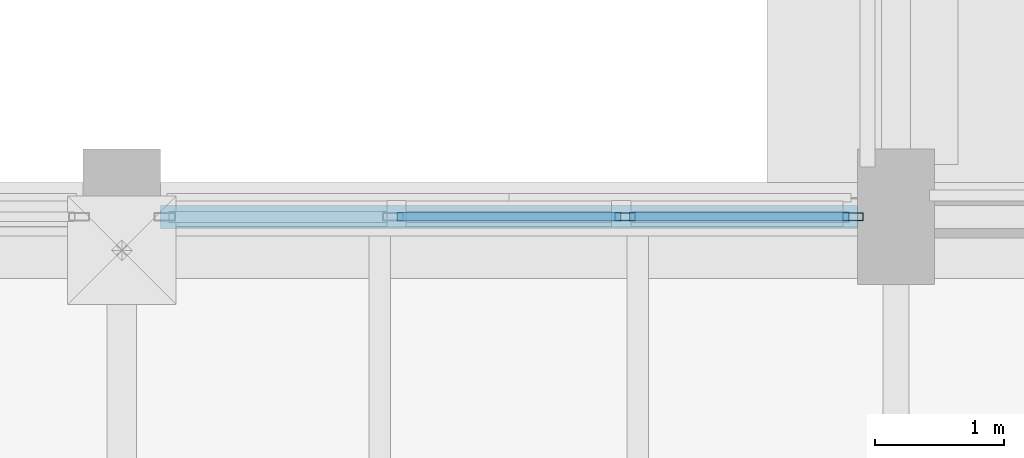
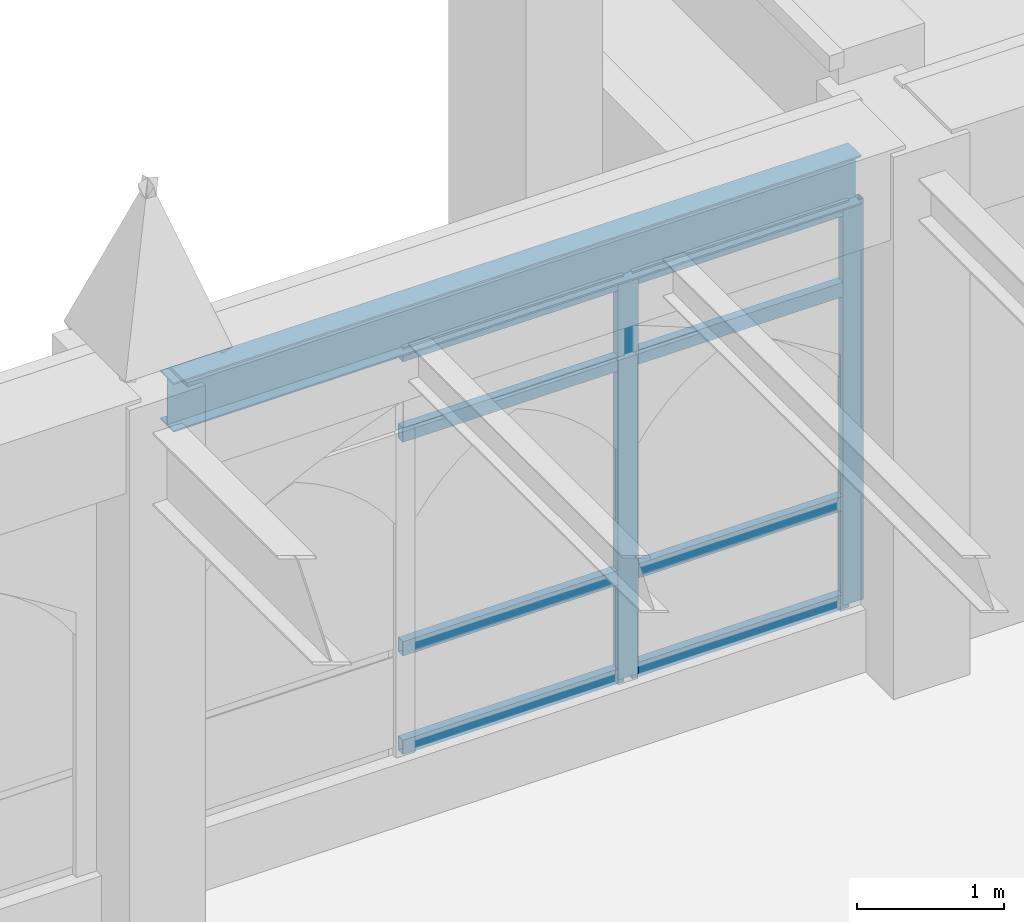
# One storey, part 60 of 143: 10 members, 1 beam, 1 element without a shape of its own.
"""IFC4 building model written with IfcOpenShell, lengths in metres."""

from ifc_helpers import new_model, si_unit, direction, frame, origin, origin_2d, place, context, subcontext, project, spatial, hollow_rectangle, i_section, extrude, material, layer, layer_set, material_profile, profile_set, type_object, element, aggregate, save


model = new_model("IFC4")

# Units and contexts
model_context = context("Model", 3, precision=1e-05, world=origin(), true_north=direction((0.0, 1.0)))
body_context = subcontext(model_context, "Body", "Model", "MODEL_VIEW")
ifc_project = project(units=[si_unit("LENGTHUNIT", "METRE"), si_unit("AREAUNIT", "SQUARE_METRE"), si_unit("VOLUMEUNIT", "CUBIC_METRE"), si_unit("PLANEANGLEUNIT", "RADIAN"), si_unit("MASSUNIT", "GRAM", prefix="KILO")], contexts=[model_context])

# Site, building, storey
site_placement = place(None, origin())
site = spatial("IfcSite", under=ifc_project, at=site_placement, CompositionType="ELEMENT")
building_placement = place(site_placement, origin())
building = spatial("IfcBuilding", under=site, at=building_placement, Name="Cumevento Cable Car Station", CompositionType="ELEMENT")
storey_placement = place(building_placement, frame((0.0, 0.0, 9.0)))
storey = spatial("IfcBuildingStorey", under=building, at=storey_placement, Name="L03", CompositionType="ELEMENT", Elevation=9.0)

# Curtain wall, members
ifc_material_1 = material(Name="Anodised Bronze Aluminium AW-6063-T6", Category="aluminium")
ifc_layer = layer(ifc_material_1, 0.25)
ifc_layer_set = layer_set([ifc_layer], Name="Anodised Bronze Aluminium AW-6063-T6")
curtain_wall_type = type_object("IfcCurtainWallType", Name="Lancet Curtain Wall CW-16 1650", PredefinedType="NOTDEFINED", material=ifc_layer_set)
curtain_wall_placement = place(storey_placement, origin())
curtain_wall = element("IfcCurtainWall", 1, at=curtain_wall_placement, inside=storey, type_object=curtain_wall_type, Name="Lancet Curtain Wall CW-16 L03 #111", PredefinedType="NOTDEFINED")
ifc_material_2 = material(Name="Anodised Bronze Aluminium AW-6063-T6", Category="aluminium")
ifc_material_profile_1 = material_profile(ifc_material_2, hollow_rectangle(XDim=0.06494140625, YDim=0.159912109375, WallThickness=0.00390625, at=origin_2d()), Name="ALUM65x160x4")
ifc_profile_set_1 = profile_set([ifc_material_profile_1], Name="Anodised Bronze Aluminium AW-6063-T6")
member_type_1 = type_object("IfcMemberType", Name="Curtain Mullion CWM-01 ALUM65x160x4", PredefinedType="MULLION", material=ifc_profile_set_1)
member_1_placement = place(storey_placement, frame((97.89990234375, 56.5, 0.52001953125), z_axis=(0.0, 0.0, 1.0), x_axis=(0.0, 1.0, 0.0)))
member_1 = element("IfcMember", 2, at=member_1_placement, type_object=member_type_1, Name="CW-16 mullion 3", PredefinedType="MULLION", context=body_context, shape_type="SweptSolid", body=[
    extrude(hollow_rectangle(XDim=0.06494140625, YDim=0.159912109375, WallThickness=0.00390625, at=origin_2d()), origin(), (0.0, 0.0, 1.0), 3.324951171875),
])
member_2_placement = place(storey_placement, frame((99.66748046875, 56.5, 0.52001953125), z_axis=(0.0, 0.0, 1.0), x_axis=(0.0, 1.0, 0.0)))
member_2 = element("IfcMember", 3, at=member_2_placement, type_object=member_type_1, Name="CW-16 mullion 4", PredefinedType="MULLION", context=body_context, shape_type="SweptSolid", body=[
    extrude(hollow_rectangle(XDim=0.06494140625, YDim=0.159912109375, WallThickness=0.00390625, at=origin_2d()), origin(), (0.0, 0.0, 1.0), 3.324951171875),
])
ifc_material_3 = material(Name="Anodised Bronze Aluminium AW-6063-T6", Category="aluminium")
ifc_material_profile_2 = material_profile(ifc_material_3, hollow_rectangle(XDim=0.06494140625, YDim=0.1201171875, WallThickness=0.00390625, at=origin_2d()), Name="ALUT65x120x4")
ifc_profile_set_2 = profile_set([ifc_material_profile_2], Name="Anodised Bronze Aluminium AW-6063-T6")
member_type_2 = type_object("IfcMemberType", Name="Curtain Transom CWT-01 ALUT65x120x4", PredefinedType="USERDEFINED", material=ifc_profile_set_2)
member_3_placement = place(storey_placement, frame((96.132568359375, 56.5, 0.552490234375), z_axis=(1.0, 0.0, 0.0), x_axis=(0.0, 1.0, 0.0)))
member_3 = element("IfcMember", 4, at=member_3_placement, type_object=member_type_2, Name="CW-16 transom 2.1", ObjectType="TRANSOM", PredefinedType="USERDEFINED", context=body_context, shape_type="SweptSolid", body=[
    extrude(hollow_rectangle(XDim=0.06494140625, YDim=0.1201171875, WallThickness=0.00390625, at=origin_2d()), origin(), (0.0, 0.0, 1.0), 1.73486328125),
])
member_4_placement = place(storey_placement, frame((96.132568359375, 56.5, 1.3701171875), z_axis=(1.0, 0.0, 0.0), x_axis=(0.0, 1.0, 0.0)))
member_4 = element("IfcMember", 5, at=member_4_placement, type_object=member_type_2, Name="CW-16 transom 2.2", ObjectType="TRANSOM", PredefinedType="USERDEFINED", context=body_context, shape_type="SweptSolid", body=[
    extrude(hollow_rectangle(XDim=0.06494140625, YDim=0.1201171875, WallThickness=0.00390625, at=origin_2d()), origin(), (0.0, 0.0, 1.0), 1.73486328125),
])
member_5_placement = place(storey_placement, frame((96.132568359375, 56.5, 3.14501953125), z_axis=(1.0, 0.0, 0.0), x_axis=(0.0, 1.0, 0.0)))
member_5 = element("IfcMember", 6, at=member_5_placement, type_object=member_type_2, Name="CW-16 transom 2.3", ObjectType="TRANSOM", PredefinedType="USERDEFINED", context=body_context, shape_type="SweptSolid", body=[
    extrude(hollow_rectangle(XDim=0.06494140625, YDim=0.1201171875, WallThickness=0.00390625, at=origin_2d()), origin(), (0.0, 0.0, 1.0), 1.73486328125),
])
member_6_placement = place(storey_placement, frame((96.132568359375, 56.5, 3.8125), z_axis=(1.0, 0.0, 0.0), x_axis=(0.0, 1.0, 0.0)))
member_6 = element("IfcMember", 7, at=member_6_placement, type_object=member_type_2, Name="CW-16 transom 2.4", ObjectType="TRANSOM", PredefinedType="USERDEFINED", context=body_context, shape_type="SweptSolid", body=[
    extrude(hollow_rectangle(XDim=0.06494140625, YDim=0.1201171875, WallThickness=0.00390625, at=origin_2d()), origin(), (0.0, 0.0, 1.0), 1.73486328125),
])
member_7_placement = place(storey_placement, frame((97.9326171875, 56.5, 0.552490234375), z_axis=(1.0, 0.0, 0.0), x_axis=(0.0, 1.0, 0.0)))
member_7 = element("IfcMember", 8, at=member_7_placement, type_object=member_type_2, Name="CW-16 transom 3.1", ObjectType="TRANSOM", PredefinedType="USERDEFINED", context=body_context, shape_type="SweptSolid", body=[
    extrude(hollow_rectangle(XDim=0.06494140625, YDim=0.1201171875, WallThickness=0.00390625, at=origin_2d()), origin(), (0.0, 0.0, 1.0), 1.702392578125),
])
member_8_placement = place(storey_placement, frame((97.9326171875, 56.5, 1.3701171875), z_axis=(1.0, 0.0, 0.0), x_axis=(0.0, 1.0, 0.0)))
member_8 = element("IfcMember", 9, at=member_8_placement, type_object=member_type_2, Name="CW-16 transom 3.2", ObjectType="TRANSOM", PredefinedType="USERDEFINED", context=body_context, shape_type="SweptSolid", body=[
    extrude(hollow_rectangle(XDim=0.06494140625, YDim=0.1201171875, WallThickness=0.00390625, at=origin_2d()), origin(), (0.0, 0.0, 1.0), 1.702392578125),
])
member_9_placement = place(storey_placement, frame((97.9326171875, 56.5, 3.14501953125), z_axis=(1.0, 0.0, 0.0), x_axis=(0.0, 1.0, 0.0)))
member_9 = element("IfcMember", 10, at=member_9_placement, type_object=member_type_2, Name="CW-16 transom 3.3", ObjectType="TRANSOM", PredefinedType="USERDEFINED", context=body_context, shape_type="SweptSolid", body=[
    extrude(hollow_rectangle(XDim=0.06494140625, YDim=0.1201171875, WallThickness=0.00390625, at=origin_2d()), origin(), (0.0, 0.0, 1.0), 1.702392578125),
])
member_10_placement = place(storey_placement, frame((97.9326171875, 56.5, 3.8125), z_axis=(1.0, 0.0, 0.0), x_axis=(0.0, 1.0, 0.0)))
member_10 = element("IfcMember", 11, at=member_10_placement, type_object=member_type_2, Name="CW-16 transom 3.4", ObjectType="TRANSOM", PredefinedType="USERDEFINED", context=body_context, shape_type="SweptSolid", body=[
    extrude(hollow_rectangle(XDim=0.06494140625, YDim=0.1201171875, WallThickness=0.00390625, at=origin_2d()), origin(), (0.0, 0.0, 1.0), 1.702392578125),
])
aggregate(curtain_wall, [member_1, member_2, member_3, member_4, member_5, member_6, member_7, member_8, member_9, member_10])

# Beam
ifc_material_4 = material(Name="Steel ASTM A572 Grade 50", Category="steel")
ifc_material_profile_3 = material_profile(ifc_material_4, i_section(OverallWidth=0.177978515625, OverallDepth=0.406982421875, WebThickness=0.0078125, FlangeThickness=0.0126953125, at=origin_2d()), Name="W410x60.0")
ifc_profile_set_3 = profile_set([ifc_material_profile_3], Name="Steel ASTM A572 Grade 50")
beam_type = type_object("IfcBeamType", Name="Structural Spandrel SP-01 W410x60.0", PredefinedType="SPANDREL", material=ifc_profile_set_3)
beam_placement = place(storey_placement, frame((94.300048828125, 56.5, 4.048583984375), z_axis=(1.0, 0.0, 0.0), x_axis=(0.0, 1.0, 0.0)))
element("IfcBeam", 12, at=beam_placement, inside=storey, type_object=beam_type, Name="Beam SP-01 L03 #1094", PredefinedType="SPANDREL", context=body_context, shape_type="SweptSolid", body=[
    extrude(i_section(OverallWidth=0.177978515625, OverallDepth=0.406982421875, WebThickness=0.0078125, FlangeThickness=0.0126953125, at=origin_2d()), origin(), (0.0, 0.0, 1.0), 5.39990234375),
])

save(model, "model.ifc")
